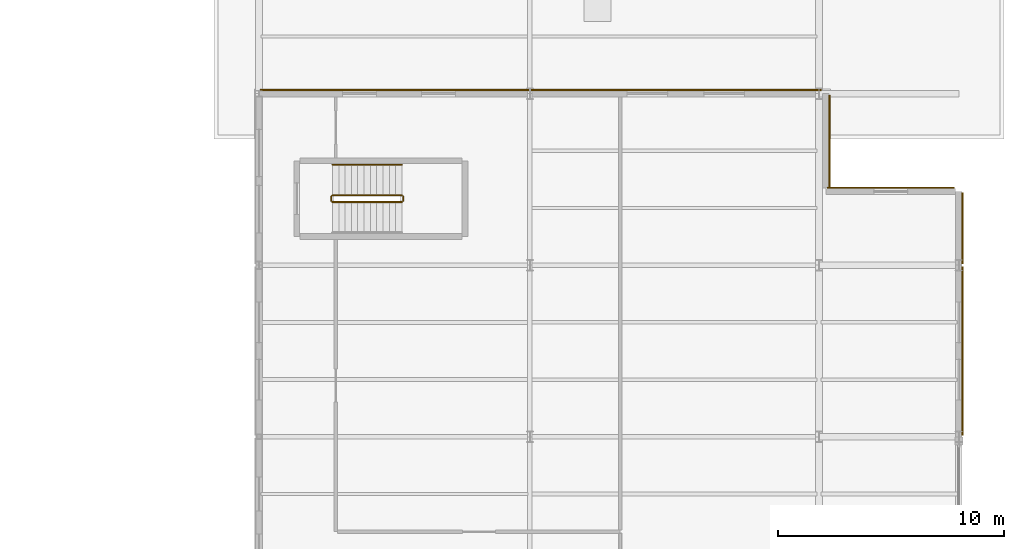
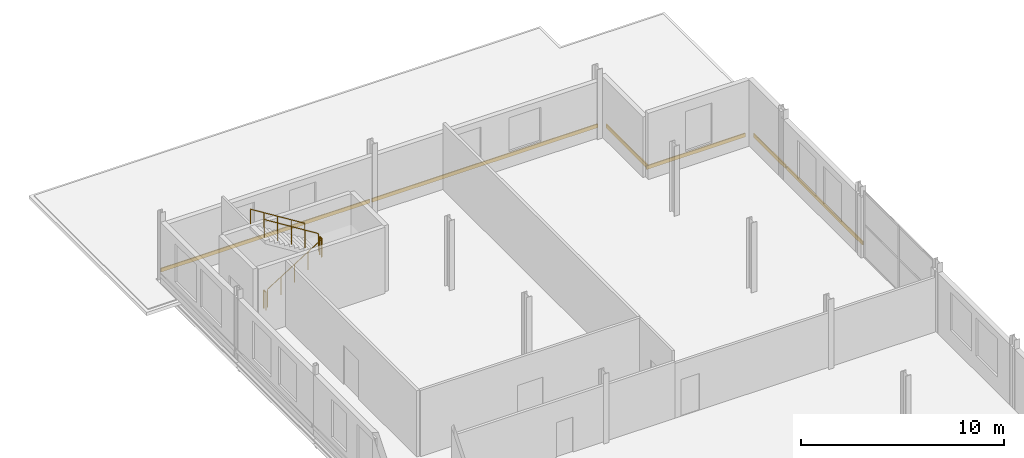
# One storey, part 100 of 101: 6 coverings, 5 railings.
"""IFC4 building model written with IfcOpenShell, lengths in metres."""

from ifc_helpers import new_model, si_unit, direction, frame, origin, origin_2d, place, context, subcontext, project, spatial, rectangle, circle, extrude, material, layer, layer_set, type_object, element, save


model = new_model("IFC4")

# Units and contexts
model_context = context("Model", 3, precision=1e-05, world=origin(), true_north=direction((0.0, 1.0)))
body_context = subcontext(model_context, "Body", "Model", "MODEL_VIEW")
ifc_project = project(units=[si_unit("LENGTHUNIT", "METRE"), si_unit("AREAUNIT", "SQUARE_METRE"), si_unit("VOLUMEUNIT", "CUBIC_METRE"), si_unit("PLANEANGLEUNIT", "RADIAN"), si_unit("MASSUNIT", "GRAM", prefix="KILO")], contexts=[model_context])

# Site, building, storey
site_placement = place(None, origin())
site = spatial("IfcSite", under=ifc_project, at=site_placement, CompositionType="ELEMENT")
building_placement = place(site_placement, origin())
building = spatial("IfcBuilding", under=site, at=building_placement, Name="Vekula Escarpment Museum", CompositionType="ELEMENT")
storey_placement = place(building_placement, frame((0.0, 0.0, 18.0)))
storey = spatial("IfcBuildingStorey", under=building, at=storey_placement, Name="L04", CompositionType="ELEMENT", Elevation=18.0)

# Coverings
ifc_material_1 = material(Name="Polychrome limestone almasik string-course band", Category="masonry")
ifc_layer = layer(ifc_material_1, 0.06005859375)
ifc_layer_set = layer_set([ifc_layer], Name="Polychrome limestone almasik string-course band")
covering_type = type_object("IfcCoveringType", Name="COV-ALM-BAND", PredefinedType="CLADDING", material=ifc_layer_set)
covering_1_placement = place(storey_placement, frame((198.166015625, 109.39990234375, 0.41015625), z_axis=(0.0, 0.0, 1.0), x_axis=(0.0, 1.0, 0.0)))
element("IfcCovering", 1, at=covering_1_placement, inside=storey, type_object=covering_type, Name="Almasik Stone String Course L04-0592", PredefinedType="CLADDING", context=body_context, shape_type="SweptSolid", body=[
    extrude(rectangle(XDim=7.47998046875, YDim=0.06005859375, at=origin_2d()), origin(), (0.0, 0.0, 1.0), 0.219970703125),
])
covering_2_placement = place(storey_placement, frame((198.166015625, 114.833984375, 0.41015625), z_axis=(0.0, 0.0, 1.0), x_axis=(0.0, 1.0, 0.0)))
element("IfcCovering", 2, at=covering_2_placement, inside=storey, type_object=covering_type, Name="Almasik Stone String Course L04-0593", PredefinedType="CLADDING", context=body_context, shape_type="SweptSolid", body=[
    extrude(rectangle(XDim=3.14794921875, YDim=0.06005859375, at=origin_2d()), origin(), (0.0, 0.0, 1.0), 0.219970703125),
])
covering_3_placement = place(storey_placement, frame((194.98291015625, 116.634033203125, 0.41015625), z_axis=(0.0, 0.0, 1.0), x_axis=(1.0, 0.0, 0.0)))
element("IfcCovering", 3, at=covering_3_placement, inside=storey, type_object=covering_type, Name="Almasik Stone String Course L04-0594", PredefinedType="CLADDING", context=body_context, shape_type="SweptSolid", body=[
    extrude(rectangle(XDim=5.6259765625, YDim=0.06005859375, at=origin_2d()), origin(), (0.0, 0.0, 1.0), 0.219970703125),
])
covering_4_placement = place(storey_placement, frame((192.27587890625, 118.7060546875, 0.41015625), z_axis=(0.0, 0.0, 1.0), x_axis=(0.0, 1.0, 0.0)))
element("IfcCovering", 4, at=covering_4_placement, inside=storey, type_object=covering_type, Name="Almasik Stone String Course L04-0595", PredefinedType="CLADDING", context=body_context, shape_type="SweptSolid", body=[
    extrude(rectangle(XDim=4.068115234375, YDim=0.06005859375, at=origin_2d()), origin(), (0.0, 0.0, 1.0), 0.219970703125),
])
covering_5_placement = place(storey_placement, frame((185.48291015625, 120.966064453125, 0.41015625), z_axis=(0.0, 0.0, 1.0), x_axis=(1.0, 0.0, 0.0)))
element("IfcCovering", 5, at=covering_5_placement, inside=storey, type_object=covering_type, Name="Almasik Stone String Course L04-0596", PredefinedType="CLADDING", context=body_context, shape_type="SweptSolid", body=[
    extrude(rectangle(XDim=12.845947265625, YDim=0.06005859375, at=origin_2d()), origin(), (0.0, 0.0, 1.0), 0.219970703125),
])
covering_6_placement = place(storey_placement, frame((173.0, 120.966064453125, 0.41015625), z_axis=(0.0, 0.0, 1.0), x_axis=(1.0, 0.0, 0.0)))
element("IfcCovering", 6, at=covering_6_placement, inside=storey, type_object=covering_type, Name="Almasik Stone String Course L04-0597", PredefinedType="CLADDING", context=body_context, shape_type="SweptSolid", body=[
    extrude(rectangle(XDim=11.8798828125, YDim=0.06005859375, at=origin_2d()), origin(), (0.0, 0.0, 1.0), 0.219970703125),
])

# Railings
ifc_material_2 = material(Name="Painted Steel S355 stair guard", Category="steel")
railing_type_1 = type_object("IfcRailingType", Name="RL-STAIR-GUARD", PredefinedType="GUARDRAIL", material=ifc_material_2)
railing_1_placement = place(storey_placement, frame((170.25, 116.0, 0.175048828125)))
element("IfcRailing", 7, at=railing_1_placement, inside=storey, type_object=railing_type_1, Name="L04 ST-05 stair guard 1", PredefinedType="GUARDRAIL", context=body_context, shape_type="SweptSolid", body=[
    extrude(circle(Radius=0.02392578125, at=origin_2d()), frame((0.0, 0.0, 1.076171875), z_axis=(0.847998304005, 0.0, 0.529998940003), x_axis=(0.0, 1.0, 0.0)), (0.0, 0.0, 1.0), 3.632080078125),
    extrude(circle(Radius=0.02099609375, at=origin_2d()), origin(), (0.0, 0.0, 1.0), 1.052001953125),
    extrude(circle(Radius=0.02099609375, at=origin_2d()), frame((0.77001953125, 0.0, 0.481201171875)), (0.0, 0.0, 1.0), 1.052001953125),
    extrude(circle(Radius=0.02099609375, at=origin_2d()), frame((1.5400390625, 0.0, 0.96240234375)), (0.0, 0.0, 1.0), 1.052001953125),
    extrude(circle(Radius=0.02099609375, at=origin_2d()), frame((2.31005859375, 0.0, 1.44384765625)), (0.0, 0.0, 1.0), 1.052001953125),
    extrude(circle(Radius=0.02099609375, at=origin_2d()), frame((3.080078125, 0.0, 1.925048828125)), (0.0, 0.0, 1.0), 1.052001953125),
])
railing_2_placement = place(storey_placement, frame((173.3798828125, 116.050048828125, 2.10009765625)))
element("IfcRailing", 8, at=railing_2_placement, inside=storey, type_object=railing_type_1, Name="L04 ST-05 stair guard 2", PredefinedType="GUARDRAIL", context=body_context, shape_type="SweptSolid", body=[
    extrude(circle(Radius=0.02392578125, at=origin_2d()), frame((0.0, 0.0, 1.076171875), z_axis=(0.0, 1.0, 0.0), x_axis=(-1.0, 0.0, 0.0)), (0.0, 0.0, 1.0), 0.199951171875),
    extrude(circle(Radius=0.02099609375, at=origin_2d()), origin(), (0.0, 0.0, 1.0), 1.052001953125),
    extrude(circle(Radius=0.02099609375, at=origin_2d()), frame((0.0, 0.199951171875, 0.0)), (0.0, 0.0, 1.0), 1.052001953125),
])
railing_3_placement = place(storey_placement, frame((173.330078125, 116.300048828125, 2.27490234375)))
element("IfcRailing", 9, at=railing_3_placement, inside=storey, type_object=railing_type_1, Name="L04 ST-05 stair guard 3", PredefinedType="GUARDRAIL", context=body_context, shape_type="SweptSolid", body=[
    extrude(circle(Radius=0.02392578125, at=origin_2d()), frame((0.0, 0.0, 1.076171875), z_axis=(-0.847998304005, 0.0, 0.529998940003), x_axis=(0.0, -1.0, 0.0)), (0.0, 0.0, 1.0), 3.632080078125),
    extrude(circle(Radius=0.02099609375, at=origin_2d()), origin(), (0.0, 0.0, 1.0), 1.052001953125),
    extrude(circle(Radius=0.02099609375, at=origin_2d()), frame((-0.77001953125, 0.0, 0.481201171875)), (0.0, 0.0, 1.0), 1.052001953125),
    extrude(circle(Radius=0.02099609375, at=origin_2d()), frame((-1.5400390625, 0.0, 0.96240234375)), (0.0, 0.0, 1.0), 1.052001953125),
    extrude(circle(Radius=0.02099609375, at=origin_2d()), frame((-2.31005859375, 0.0, 1.44384765625)), (0.0, 0.0, 1.0), 1.052001953125),
    extrude(circle(Radius=0.02099609375, at=origin_2d()), frame((-3.080078125, 0.0, 1.925048828125)), (0.0, 0.0, 1.0), 1.052001953125),
])
railing_4_placement = place(storey_placement, frame((170.199951171875, 116.050048828125, 0.0)))
element("IfcRailing", 10, at=railing_4_placement, inside=storey, type_object=railing_type_1, Name="L04 ST-05 stair guard 4", PredefinedType="GUARDRAIL", context=body_context, shape_type="SweptSolid", body=[
    extrude(circle(Radius=0.02392578125, at=origin_2d()), frame((0.0, 0.0, 1.076171875), z_axis=(0.0, 1.0, 0.0), x_axis=(-1.0, 0.0, 0.0)), (0.0, 0.0, 1.0), 0.199951171875),
    extrude(circle(Radius=0.02099609375, at=origin_2d()), origin(), (0.0, 0.0, 1.0), 1.052001953125),
    extrude(circle(Radius=0.02099609375, at=origin_2d()), frame((0.0, 0.199951171875, 0.0)), (0.0, 0.0, 1.0), 1.052001953125),
])
ifc_material_3 = material(Name="Brushed stainless steel handrail", Category="steel")
railing_type_2 = type_object("IfcRailingType", Name="RL-STAIR-HAND", PredefinedType="HANDRAIL", material=ifc_material_3)
railing_5_placement = place(storey_placement, frame((173.330078125, 117.64990234375, 2.27490234375)))
element("IfcRailing", 11, at=railing_5_placement, inside=storey, type_object=railing_type_2, Name="L04 ST-05 stair handrail 2", PredefinedType="HANDRAIL", context=body_context, shape_type="SweptSolid", body=[
    extrude(circle(Radius=0.02392578125, at=origin_2d()), frame((0.0, 0.0, 0.8759765625), z_axis=(-0.847998304005, 0.0, 0.529998940003), x_axis=(0.0, -1.0, 0.0)), (0.0, 0.0, 1.0), 3.632080078125),
    extrude(circle(Radius=0.02099609375, at=origin_2d()), origin(), (0.0, 0.0, 1.0), 0.851806640625),
    extrude(circle(Radius=0.02099609375, at=origin_2d()), frame((-0.77001953125, 0.0, 0.481201171875)), (0.0, 0.0, 1.0), 0.851806640625),
    extrude(circle(Radius=0.02099609375, at=origin_2d()), frame((-1.5400390625, 0.0, 0.96240234375)), (0.0, 0.0, 1.0), 0.851806640625),
    extrude(circle(Radius=0.02099609375, at=origin_2d()), frame((-2.31005859375, 0.0, 1.44384765625)), (0.0, 0.0, 1.0), 0.851806640625),
    extrude(circle(Radius=0.02099609375, at=origin_2d()), frame((-3.080078125, 0.0, 1.925048828125)), (0.0, 0.0, 1.0), 0.851806640625),
])

save(model, "model.ifc")
